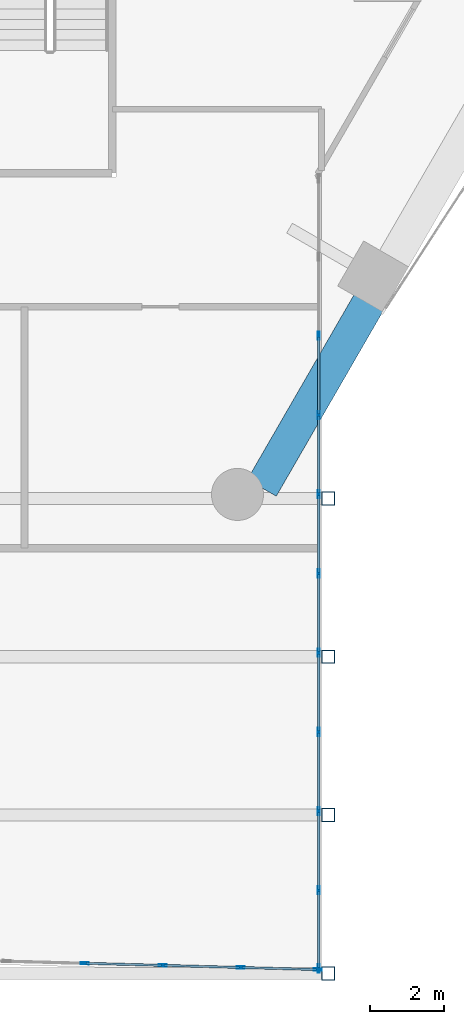
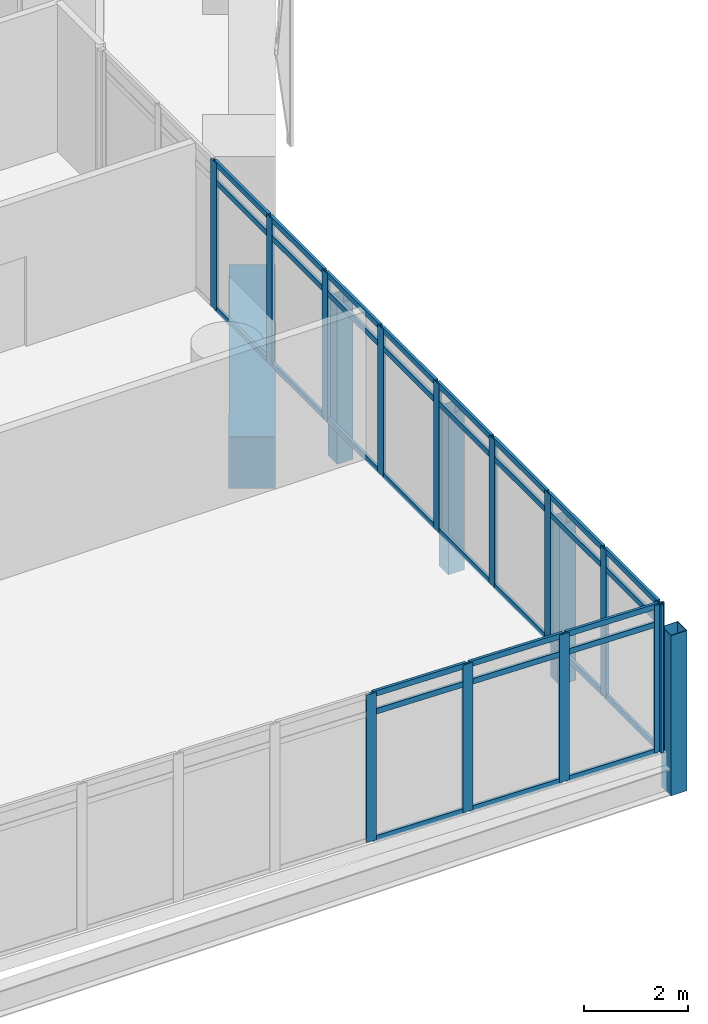
# One storey, part 10 of 35: 50 members, 1 beam, 2 elements without a shape of their own.
"""IFC4 building model written with IfcOpenShell, lengths in metres."""

from ifc_helpers import new_model, si_unit, direction, frame, origin, origin_2d, place, context, subcontext, project, spatial, rectangle, hollow_rectangle, extrude, material, material_profile, profile_set, type_object, element, aggregate, save


model = new_model("IFC4")

# Units and contexts
model_context = context("Model", 3, precision=1e-05, world=origin(), true_north=direction((0.0, 1.0)))
body_context = subcontext(model_context, "Body", "Model", "MODEL_VIEW")
ifc_project = project(units=[si_unit("LENGTHUNIT", "METRE"), si_unit("AREAUNIT", "SQUARE_METRE"), si_unit("VOLUMEUNIT", "CUBIC_METRE"), si_unit("PLANEANGLEUNIT", "RADIAN"), si_unit("MASSUNIT", "GRAM", prefix="KILO")], contexts=[model_context])

# Site, building, storey
site_placement = place(None, origin())
site = spatial("IfcSite", under=ifc_project, at=site_placement, CompositionType="ELEMENT")
building_placement = place(site_placement, origin())
building = spatial("IfcBuilding", under=site, at=building_placement, Name="Ostrander Bayou Hotel Tower", CompositionType="ELEMENT")
storey_placement = place(building_placement, frame((0.0, 0.0, 69.25)))
storey = spatial("IfcBuildingStorey", under=building, at=storey_placement, Name="L17", CompositionType="ELEMENT", Elevation=69.25)

# Curtain wall, members
ifc_material_1 = material(Name="Aluminium and clear glass", Category="aluminium")
curtain_wall_type = type_object("IfcCurtainWallType", Name="CW-BAR glazed wall", PredefinedType="NOTDEFINED", material=ifc_material_1)
curtain_wall_1_placement = place(storey_placement, origin())
curtain_wall_1 = element("IfcCurtainWall", 1, at=curtain_wall_1_placement, inside=storey, type_object=curtain_wall_type, Name="CW-BAR L17:SB1S:T", PredefinedType="NOTDEFINED")
ifc_material_2 = material(Name="Aluminium", Category="aluminium")
ifc_material_profile_1 = material_profile(ifc_material_2, hollow_rectangle(XDim=0.06005859375, YDim=0.219970703125, WallThickness=0.00390625, at=origin_2d()))
ifc_profile_set_1 = profile_set([ifc_material_profile_1], Name="Aluminium")
member_type_1 = type_object("IfcMemberType", Name="CW-BR mullion 60 x 220 mm", PredefinedType="MULLION", material=ifc_profile_set_1)
member_1_placement = place(storey_placement, frame((8.406982421875, -32.677490234375, 0.0), z_axis=(0.0, 0.0, 1.0), x_axis=(0.027042484848, 0.999634285133, 0.0)))
member_1 = element("IfcMember", 2, at=member_1_placement, type_object=member_type_1, Name="CW-BAR mullion 12", PredefinedType="MULLION", context=body_context, shape_type="SweptSolid", body=[
    extrude(hollow_rectangle(XDim=0.06005859375, YDim=0.219970703125, WallThickness=0.00390625, at=origin_2d()), origin(), (0.0, 0.0, 1.0), 3.449951171875),
])
member_2_placement = place(storey_placement, frame((10.5087890625, -32.734375, 0.0), z_axis=(0.0, 0.0, 1.0), x_axis=(0.027042484848, 0.999634285133, 0.0)))
member_2 = element("IfcMember", 3, at=member_2_placement, type_object=member_type_1, Name="CW-BAR mullion 13", PredefinedType="MULLION", context=body_context, shape_type="SweptSolid", body=[
    extrude(hollow_rectangle(XDim=0.06005859375, YDim=0.219970703125, WallThickness=0.00390625, at=origin_2d()), origin(), (0.0, 0.0, 1.0), 3.449951171875),
])
member_3_placement = place(storey_placement, frame((12.6103515625, -32.791259765625, 0.0), z_axis=(0.0, 0.0, 1.0), x_axis=(0.027042484848, 0.999634285133, 0.0)))
member_3 = element("IfcMember", 4, at=member_3_placement, type_object=member_type_1, Name="CW-BAR mullion 14", PredefinedType="MULLION", context=body_context, shape_type="SweptSolid", body=[
    extrude(hollow_rectangle(XDim=0.06005859375, YDim=0.219970703125, WallThickness=0.00390625, at=origin_2d()), origin(), (0.0, 0.0, 1.0), 3.449951171875),
])
member_4_placement = place(storey_placement, frame((14.68212890625, -32.84716796875, 0.0), z_axis=(0.0, 0.0, 1.0), x_axis=(0.027042484848, 0.999634285133, 0.0)))
member_4 = element("IfcMember", 5, at=member_4_placement, type_object=member_type_1, Name="CW-BAR mullion 15", PredefinedType="MULLION", context=body_context, shape_type="SweptSolid", body=[
    extrude(hollow_rectangle(XDim=0.06005859375, YDim=0.219970703125, WallThickness=0.00390625, at=origin_2d()), origin(), (0.0, 0.0, 1.0), 3.449951171875),
])

curtain_wall_2_placement = place(storey_placement, origin())
curtain_wall_2 = element("IfcCurtainWall", 6, at=curtain_wall_2_placement, inside=storey, type_object=curtain_wall_type, Name="CW-BAR L17:SB1S:W", PredefinedType="NOTDEFINED")
member_5_placement = place(storey_placement, frame((14.712158203125, -15.78369140625, 0.0), z_axis=(0.0, 0.0, 1.0), x_axis=(1.0, 0.0, 0.0)))
member_5 = element("IfcMember", 7, at=member_5_placement, type_object=member_type_1, Name="CW-BAR mullion 3", PredefinedType="MULLION", context=body_context, shape_type="SweptSolid", body=[
    extrude(hollow_rectangle(XDim=0.06005859375, YDim=0.219970703125, WallThickness=0.00390625, at=origin_2d()), origin(), (0.0, 0.0, 1.0), 3.449951171875),
])
member_6_placement = place(storey_placement, frame((14.712158203125, -17.916748046875, 0.0), z_axis=(0.0, 0.0, 1.0), x_axis=(1.0, 0.0, 0.0)))
member_6 = element("IfcMember", 8, at=member_6_placement, type_object=member_type_1, Name="CW-BAR mullion 4", PredefinedType="MULLION", context=body_context, shape_type="SweptSolid", body=[
    extrude(hollow_rectangle(XDim=0.06005859375, YDim=0.219970703125, WallThickness=0.00390625, at=origin_2d()), origin(), (0.0, 0.0, 1.0), 3.449951171875),
])
member_7_placement = place(storey_placement, frame((14.712158203125, -20.0498046875, 0.0), z_axis=(0.0, 0.0, 1.0), x_axis=(1.0, 0.0, 0.0)))
member_7 = element("IfcMember", 9, at=member_7_placement, type_object=member_type_1, Name="CW-BAR mullion 5", PredefinedType="MULLION", context=body_context, shape_type="SweptSolid", body=[
    extrude(hollow_rectangle(XDim=0.06005859375, YDim=0.219970703125, WallThickness=0.00390625, at=origin_2d()), origin(), (0.0, 0.0, 1.0), 3.449951171875),
])
member_8_placement = place(storey_placement, frame((14.712158203125, -22.182861328125, 0.0), z_axis=(0.0, 0.0, 1.0), x_axis=(1.0, 0.0, 0.0)))
member_8 = element("IfcMember", 10, at=member_8_placement, type_object=member_type_1, Name="CW-BAR mullion 6", PredefinedType="MULLION", context=body_context, shape_type="SweptSolid", body=[
    extrude(hollow_rectangle(XDim=0.06005859375, YDim=0.219970703125, WallThickness=0.00390625, at=origin_2d()), origin(), (0.0, 0.0, 1.0), 3.449951171875),
])
member_9_placement = place(storey_placement, frame((14.712158203125, -24.31591796875, 0.0), z_axis=(0.0, 0.0, 1.0), x_axis=(1.0, 0.0, 0.0)))
member_9 = element("IfcMember", 11, at=member_9_placement, type_object=member_type_1, Name="CW-BAR mullion 7", PredefinedType="MULLION", context=body_context, shape_type="SweptSolid", body=[
    extrude(hollow_rectangle(XDim=0.06005859375, YDim=0.219970703125, WallThickness=0.00390625, at=origin_2d()), origin(), (0.0, 0.0, 1.0), 3.449951171875),
])
member_10_placement = place(storey_placement, frame((14.712158203125, -26.448974609375, 0.0), z_axis=(0.0, 0.0, 1.0), x_axis=(1.0, 0.0, 0.0)))
member_10 = element("IfcMember", 12, at=member_10_placement, type_object=member_type_1, Name="CW-BAR mullion 8", PredefinedType="MULLION", context=body_context, shape_type="SweptSolid", body=[
    extrude(hollow_rectangle(XDim=0.06005859375, YDim=0.219970703125, WallThickness=0.00390625, at=origin_2d()), origin(), (0.0, 0.0, 1.0), 3.449951171875),
])
member_11_placement = place(storey_placement, frame((14.712158203125, -28.58203125, 0.0), z_axis=(0.0, 0.0, 1.0), x_axis=(1.0, 0.0, 0.0)))
member_11 = element("IfcMember", 13, at=member_11_placement, type_object=member_type_1, Name="CW-BAR mullion 9", PredefinedType="MULLION", context=body_context, shape_type="SweptSolid", body=[
    extrude(hollow_rectangle(XDim=0.06005859375, YDim=0.219970703125, WallThickness=0.00390625, at=origin_2d()), origin(), (0.0, 0.0, 1.0), 3.449951171875),
])
member_12_placement = place(storey_placement, frame((14.712158203125, -30.715087890625, 0.0), z_axis=(0.0, 0.0, 1.0), x_axis=(1.0, 0.0, 0.0)))
member_12 = element("IfcMember", 14, at=member_12_placement, type_object=member_type_1, Name="CW-BAR mullion 10", PredefinedType="MULLION", context=body_context, shape_type="SweptSolid", body=[
    extrude(hollow_rectangle(XDim=0.06005859375, YDim=0.219970703125, WallThickness=0.00390625, at=origin_2d()), origin(), (0.0, 0.0, 1.0), 3.449951171875),
])
member_13_placement = place(storey_placement, frame((14.712158203125, -32.818115234375, 0.0), z_axis=(0.0, 0.0, 1.0), x_axis=(1.0, 0.0, 0.0)))
member_13 = element("IfcMember", 15, at=member_13_placement, type_object=member_type_1, Name="CW-BAR mullion 11", PredefinedType="MULLION", context=body_context, shape_type="SweptSolid", body=[
    extrude(hollow_rectangle(XDim=0.06005859375, YDim=0.219970703125, WallThickness=0.00390625, at=origin_2d()), origin(), (0.0, 0.0, 1.0), 3.449951171875),
])

# Member
ifc_material_3 = material(Name="Aluminium", Category="aluminium")
ifc_material_profile_2 = material_profile(ifc_material_3, hollow_rectangle(XDim=0.06005859375, YDim=0.1298828125, WallThickness=0.00390625, at=origin_2d()))
ifc_profile_set_2 = profile_set([ifc_material_profile_2], Name="Aluminium")
member_type_2 = type_object("IfcMemberType", Name="CW-BR transom 60 x 130 mm", PredefinedType="USERDEFINED", material=ifc_profile_set_2)
member_14_placement = place(storey_placement, frame((8.43701171875, -32.67822265625, 0.030029296875), z_axis=(0.999635057116, -0.027013933147, 0.0), x_axis=(0.027013933147, 0.999635057116, 0.0)))
member_14 = element("IfcMember", 16, at=member_14_placement, type_object=member_type_2, Name="CW-BAR transom 12.1", ObjectType="TRANSOM", PredefinedType="USERDEFINED", context=body_context, shape_type="SweptSolid", body=[
    extrude(hollow_rectangle(XDim=0.06005859375, YDim=0.1298828125, WallThickness=0.00390625, at=origin_2d()), origin(), (0.0, 0.0, 1.0), 2.04248046875),
])

member_15_placement = place(storey_placement, frame((8.43701171875, -32.67822265625, 3.0), z_axis=(0.999635057116, -0.027013933147, 0.0), x_axis=(0.027013933147, 0.999635057116, 0.0)))
member_15 = element("IfcMember", 17, at=member_15_placement, type_object=member_type_2, Name="CW-BAR transom 12.2", ObjectType="TRANSOM", PredefinedType="USERDEFINED", context=body_context, shape_type="SweptSolid", body=[
    extrude(hollow_rectangle(XDim=0.06005859375, YDim=0.1298828125, WallThickness=0.00390625, at=origin_2d()), origin(), (0.0, 0.0, 1.0), 2.04248046875),
])

member_16_placement = place(storey_placement, frame((8.43701171875, -32.67822265625, 3.419921875), z_axis=(0.999635057116, -0.027013933147, 0.0), x_axis=(0.027013933147, 0.999635057116, 0.0)))
member_16 = element("IfcMember", 18, at=member_16_placement, type_object=member_type_2, Name="CW-BAR transom 12.3", ObjectType="TRANSOM", PredefinedType="USERDEFINED", context=body_context, shape_type="SweptSolid", body=[
    extrude(hollow_rectangle(XDim=0.06005859375, YDim=0.1298828125, WallThickness=0.00390625, at=origin_2d()), origin(), (0.0, 0.0, 1.0), 2.04248046875),
])

member_17_placement = place(storey_placement, frame((10.538818359375, -32.735107421875, 0.030029296875), z_axis=(0.999635057116, -0.027013933147, 0.0), x_axis=(0.027013933147, 0.999635057116, 0.0)))
member_17 = element("IfcMember", 19, at=member_17_placement, type_object=member_type_2, Name="CW-BAR transom 13.1", ObjectType="TRANSOM", PredefinedType="USERDEFINED", context=body_context, shape_type="SweptSolid", body=[
    extrude(hollow_rectangle(XDim=0.06005859375, YDim=0.1298828125, WallThickness=0.00390625, at=origin_2d()), origin(), (0.0, 0.0, 1.0), 2.04248046875),
])

member_18_placement = place(storey_placement, frame((10.538818359375, -32.735107421875, 3.0), z_axis=(0.999635057116, -0.027013933147, 0.0), x_axis=(0.027013933147, 0.999635057116, 0.0)))
member_18 = element("IfcMember", 20, at=member_18_placement, type_object=member_type_2, Name="CW-BAR transom 13.2", ObjectType="TRANSOM", PredefinedType="USERDEFINED", context=body_context, shape_type="SweptSolid", body=[
    extrude(hollow_rectangle(XDim=0.06005859375, YDim=0.1298828125, WallThickness=0.00390625, at=origin_2d()), origin(), (0.0, 0.0, 1.0), 2.04248046875),
])

member_19_placement = place(storey_placement, frame((10.538818359375, -32.735107421875, 3.419921875), z_axis=(0.999635057116, -0.027013933147, 0.0), x_axis=(0.027013933147, 0.999635057116, 0.0)))
member_19 = element("IfcMember", 21, at=member_19_placement, type_object=member_type_2, Name="CW-BAR transom 13.3", ObjectType="TRANSOM", PredefinedType="USERDEFINED", context=body_context, shape_type="SweptSolid", body=[
    extrude(hollow_rectangle(XDim=0.06005859375, YDim=0.1298828125, WallThickness=0.00390625, at=origin_2d()), origin(), (0.0, 0.0, 1.0), 2.04248046875),
])

member_20_placement = place(storey_placement, frame((12.640380859375, -32.7919921875, 0.030029296875), z_axis=(0.999634083934, -0.027049921213, 0.0), x_axis=(0.027049921213, 0.999634083934, 0.0)))
member_20 = element("IfcMember", 22, at=member_20_placement, type_object=member_type_2, Name="CW-BAR transom 14.1", ObjectType="TRANSOM", PredefinedType="USERDEFINED", context=body_context, shape_type="SweptSolid", body=[
    extrude(hollow_rectangle(XDim=0.06005859375, YDim=0.1298828125, WallThickness=0.00390625, at=origin_2d()), origin(), (0.0, 0.0, 1.0), 2.0126953125),
])

member_21_placement = place(storey_placement, frame((12.640380859375, -32.7919921875, 3.0), z_axis=(0.999634083934, -0.027049921213, 0.0), x_axis=(0.027049921213, 0.999634083934, 0.0)))
member_21 = element("IfcMember", 23, at=member_21_placement, type_object=member_type_2, Name="CW-BAR transom 14.2", ObjectType="TRANSOM", PredefinedType="USERDEFINED", context=body_context, shape_type="SweptSolid", body=[
    extrude(hollow_rectangle(XDim=0.06005859375, YDim=0.1298828125, WallThickness=0.00390625, at=origin_2d()), origin(), (0.0, 0.0, 1.0), 2.0126953125),
])

member_22_placement = place(storey_placement, frame((12.640380859375, -32.7919921875, 3.419921875), z_axis=(0.999634083934, -0.027049921213, 0.0), x_axis=(0.027049921213, 0.999634083934, 0.0)))
member_22 = element("IfcMember", 24, at=member_22_placement, type_object=member_type_2, Name="CW-BAR transom 14.3", ObjectType="TRANSOM", PredefinedType="USERDEFINED", context=body_context, shape_type="SweptSolid", body=[
    extrude(hollow_rectangle(XDim=0.06005859375, YDim=0.1298828125, WallThickness=0.00390625, at=origin_2d()), origin(), (0.0, 0.0, 1.0), 2.0126953125),
])

aggregate(curtain_wall_1, [member_1, member_2, member_3, member_4, member_14, member_15, member_16, member_17, member_18, member_19, member_20, member_21, member_22])

member_23_placement = place(storey_placement, frame((14.712158203125, -15.813720703125, 0.030029296875), z_axis=(0.0, -1.0, 0.0), x_axis=(1.0, 0.0, 0.0)))
member_23 = element("IfcMember", 25, at=member_23_placement, type_object=member_type_2, Name="CW-BAR transom 3.1", ObjectType="TRANSOM", PredefinedType="USERDEFINED", context=body_context, shape_type="SweptSolid", body=[
    extrude(hollow_rectangle(XDim=0.06005859375, YDim=0.1298828125, WallThickness=0.00390625, at=origin_2d()), origin(), (0.0, 0.0, 1.0), 2.072998046875),
])

member_24_placement = place(storey_placement, frame((14.712158203125, -15.813720703125, 3.0), z_axis=(0.0, -1.0, 0.0), x_axis=(1.0, 0.0, 0.0)))
member_24 = element("IfcMember", 26, at=member_24_placement, type_object=member_type_2, Name="CW-BAR transom 3.2", ObjectType="TRANSOM", PredefinedType="USERDEFINED", context=body_context, shape_type="SweptSolid", body=[
    extrude(hollow_rectangle(XDim=0.06005859375, YDim=0.1298828125, WallThickness=0.00390625, at=origin_2d()), origin(), (0.0, 0.0, 1.0), 2.072998046875),
])

member_25_placement = place(storey_placement, frame((14.712158203125, -15.813720703125, 3.419921875), z_axis=(0.0, -1.0, 0.0), x_axis=(1.0, 0.0, 0.0)))
member_25 = element("IfcMember", 27, at=member_25_placement, type_object=member_type_2, Name="CW-BAR transom 3.3", ObjectType="TRANSOM", PredefinedType="USERDEFINED", context=body_context, shape_type="SweptSolid", body=[
    extrude(hollow_rectangle(XDim=0.06005859375, YDim=0.1298828125, WallThickness=0.00390625, at=origin_2d()), origin(), (0.0, 0.0, 1.0), 2.072998046875),
])

member_26_placement = place(storey_placement, frame((14.712158203125, -17.94677734375, 0.030029296875), z_axis=(0.0, -1.0, 0.0), x_axis=(1.0, 0.0, 0.0)))
member_26 = element("IfcMember", 28, at=member_26_placement, type_object=member_type_2, Name="CW-BAR transom 4.1", ObjectType="TRANSOM", PredefinedType="USERDEFINED", context=body_context, shape_type="SweptSolid", body=[
    extrude(hollow_rectangle(XDim=0.06005859375, YDim=0.1298828125, WallThickness=0.00390625, at=origin_2d()), origin(), (0.0, 0.0, 1.0), 2.072998046875),
])

member_27_placement = place(storey_placement, frame((14.712158203125, -17.94677734375, 3.0), z_axis=(0.0, -1.0, 0.0), x_axis=(1.0, 0.0, 0.0)))
member_27 = element("IfcMember", 29, at=member_27_placement, type_object=member_type_2, Name="CW-BAR transom 4.2", ObjectType="TRANSOM", PredefinedType="USERDEFINED", context=body_context, shape_type="SweptSolid", body=[
    extrude(hollow_rectangle(XDim=0.06005859375, YDim=0.1298828125, WallThickness=0.00390625, at=origin_2d()), origin(), (0.0, 0.0, 1.0), 2.072998046875),
])

member_28_placement = place(storey_placement, frame((14.712158203125, -17.94677734375, 3.419921875), z_axis=(0.0, -1.0, 0.0), x_axis=(1.0, 0.0, 0.0)))
member_28 = element("IfcMember", 30, at=member_28_placement, type_object=member_type_2, Name="CW-BAR transom 4.3", ObjectType="TRANSOM", PredefinedType="USERDEFINED", context=body_context, shape_type="SweptSolid", body=[
    extrude(hollow_rectangle(XDim=0.06005859375, YDim=0.1298828125, WallThickness=0.00390625, at=origin_2d()), origin(), (0.0, 0.0, 1.0), 2.072998046875),
])

member_29_placement = place(storey_placement, frame((14.712158203125, -20.079833984375, 0.030029296875), z_axis=(0.0, -1.0, 0.0), x_axis=(1.0, 0.0, 0.0)))
member_29 = element("IfcMember", 31, at=member_29_placement, type_object=member_type_2, Name="CW-BAR transom 5.1", ObjectType="TRANSOM", PredefinedType="USERDEFINED", context=body_context, shape_type="SweptSolid", body=[
    extrude(hollow_rectangle(XDim=0.06005859375, YDim=0.1298828125, WallThickness=0.00390625, at=origin_2d()), origin(), (0.0, 0.0, 1.0), 2.072998046875),
])

member_30_placement = place(storey_placement, frame((14.712158203125, -20.079833984375, 3.0), z_axis=(0.0, -1.0, 0.0), x_axis=(1.0, 0.0, 0.0)))
member_30 = element("IfcMember", 32, at=member_30_placement, type_object=member_type_2, Name="CW-BAR transom 5.2", ObjectType="TRANSOM", PredefinedType="USERDEFINED", context=body_context, shape_type="SweptSolid", body=[
    extrude(hollow_rectangle(XDim=0.06005859375, YDim=0.1298828125, WallThickness=0.00390625, at=origin_2d()), origin(), (0.0, 0.0, 1.0), 2.072998046875),
])

member_31_placement = place(storey_placement, frame((14.712158203125, -20.079833984375, 3.419921875), z_axis=(0.0, -1.0, 0.0), x_axis=(1.0, 0.0, 0.0)))
member_31 = element("IfcMember", 33, at=member_31_placement, type_object=member_type_2, Name="CW-BAR transom 5.3", ObjectType="TRANSOM", PredefinedType="USERDEFINED", context=body_context, shape_type="SweptSolid", body=[
    extrude(hollow_rectangle(XDim=0.06005859375, YDim=0.1298828125, WallThickness=0.00390625, at=origin_2d()), origin(), (0.0, 0.0, 1.0), 2.072998046875),
])

member_32_placement = place(storey_placement, frame((14.712158203125, -22.212890625, 0.030029296875), z_axis=(0.0, -1.0, 0.0), x_axis=(1.0, 0.0, 0.0)))
member_32 = element("IfcMember", 34, at=member_32_placement, type_object=member_type_2, Name="CW-BAR transom 6.1", ObjectType="TRANSOM", PredefinedType="USERDEFINED", context=body_context, shape_type="SweptSolid", body=[
    extrude(hollow_rectangle(XDim=0.06005859375, YDim=0.1298828125, WallThickness=0.00390625, at=origin_2d()), origin(), (0.0, 0.0, 1.0), 2.072998046875),
])

member_33_placement = place(storey_placement, frame((14.712158203125, -22.212890625, 3.0), z_axis=(0.0, -1.0, 0.0), x_axis=(1.0, 0.0, 0.0)))
member_33 = element("IfcMember", 35, at=member_33_placement, type_object=member_type_2, Name="CW-BAR transom 6.2", ObjectType="TRANSOM", PredefinedType="USERDEFINED", context=body_context, shape_type="SweptSolid", body=[
    extrude(hollow_rectangle(XDim=0.06005859375, YDim=0.1298828125, WallThickness=0.00390625, at=origin_2d()), origin(), (0.0, 0.0, 1.0), 2.072998046875),
])

member_34_placement = place(storey_placement, frame((14.712158203125, -22.212890625, 3.419921875), z_axis=(0.0, -1.0, 0.0), x_axis=(1.0, 0.0, 0.0)))
member_34 = element("IfcMember", 36, at=member_34_placement, type_object=member_type_2, Name="CW-BAR transom 6.3", ObjectType="TRANSOM", PredefinedType="USERDEFINED", context=body_context, shape_type="SweptSolid", body=[
    extrude(hollow_rectangle(XDim=0.06005859375, YDim=0.1298828125, WallThickness=0.00390625, at=origin_2d()), origin(), (0.0, 0.0, 1.0), 2.072998046875),
])

member_35_placement = place(storey_placement, frame((14.712158203125, -24.345947265625, 0.030029296875), z_axis=(0.0, -1.0, 0.0), x_axis=(1.0, 0.0, 0.0)))
member_35 = element("IfcMember", 37, at=member_35_placement, type_object=member_type_2, Name="CW-BAR transom 7.1", ObjectType="TRANSOM", PredefinedType="USERDEFINED", context=body_context, shape_type="SweptSolid", body=[
    extrude(hollow_rectangle(XDim=0.06005859375, YDim=0.1298828125, WallThickness=0.00390625, at=origin_2d()), origin(), (0.0, 0.0, 1.0), 2.072998046875),
])

member_36_placement = place(storey_placement, frame((14.712158203125, -24.345947265625, 3.0), z_axis=(0.0, -1.0, 0.0), x_axis=(1.0, 0.0, 0.0)))
member_36 = element("IfcMember", 38, at=member_36_placement, type_object=member_type_2, Name="CW-BAR transom 7.2", ObjectType="TRANSOM", PredefinedType="USERDEFINED", context=body_context, shape_type="SweptSolid", body=[
    extrude(hollow_rectangle(XDim=0.06005859375, YDim=0.1298828125, WallThickness=0.00390625, at=origin_2d()), origin(), (0.0, 0.0, 1.0), 2.072998046875),
])

member_37_placement = place(storey_placement, frame((14.712158203125, -24.345947265625, 3.419921875), z_axis=(0.0, -1.0, 0.0), x_axis=(1.0, 0.0, 0.0)))
member_37 = element("IfcMember", 39, at=member_37_placement, type_object=member_type_2, Name="CW-BAR transom 7.3", ObjectType="TRANSOM", PredefinedType="USERDEFINED", context=body_context, shape_type="SweptSolid", body=[
    extrude(hollow_rectangle(XDim=0.06005859375, YDim=0.1298828125, WallThickness=0.00390625, at=origin_2d()), origin(), (0.0, 0.0, 1.0), 2.072998046875),
])

member_38_placement = place(storey_placement, frame((14.712158203125, -26.47900390625, 0.030029296875), z_axis=(0.0, -1.0, 0.0), x_axis=(1.0, 0.0, 0.0)))
member_38 = element("IfcMember", 40, at=member_38_placement, type_object=member_type_2, Name="CW-BAR transom 8.1", ObjectType="TRANSOM", PredefinedType="USERDEFINED", context=body_context, shape_type="SweptSolid", body=[
    extrude(hollow_rectangle(XDim=0.06005859375, YDim=0.1298828125, WallThickness=0.00390625, at=origin_2d()), origin(), (0.0, 0.0, 1.0), 2.072998046875),
])

member_39_placement = place(storey_placement, frame((14.712158203125, -26.47900390625, 3.0), z_axis=(0.0, -1.0, 0.0), x_axis=(1.0, 0.0, 0.0)))
member_39 = element("IfcMember", 41, at=member_39_placement, type_object=member_type_2, Name="CW-BAR transom 8.2", ObjectType="TRANSOM", PredefinedType="USERDEFINED", context=body_context, shape_type="SweptSolid", body=[
    extrude(hollow_rectangle(XDim=0.06005859375, YDim=0.1298828125, WallThickness=0.00390625, at=origin_2d()), origin(), (0.0, 0.0, 1.0), 2.072998046875),
])

member_40_placement = place(storey_placement, frame((14.712158203125, -26.47900390625, 3.419921875), z_axis=(0.0, -1.0, 0.0), x_axis=(1.0, 0.0, 0.0)))
member_40 = element("IfcMember", 42, at=member_40_placement, type_object=member_type_2, Name="CW-BAR transom 8.3", ObjectType="TRANSOM", PredefinedType="USERDEFINED", context=body_context, shape_type="SweptSolid", body=[
    extrude(hollow_rectangle(XDim=0.06005859375, YDim=0.1298828125, WallThickness=0.00390625, at=origin_2d()), origin(), (0.0, 0.0, 1.0), 2.072998046875),
])

member_41_placement = place(storey_placement, frame((14.712158203125, -28.612060546875, 0.030029296875), z_axis=(0.0, -1.0, 0.0), x_axis=(1.0, 0.0, 0.0)))
member_41 = element("IfcMember", 43, at=member_41_placement, type_object=member_type_2, Name="CW-BAR transom 9.1", ObjectType="TRANSOM", PredefinedType="USERDEFINED", context=body_context, shape_type="SweptSolid", body=[
    extrude(hollow_rectangle(XDim=0.06005859375, YDim=0.1298828125, WallThickness=0.00390625, at=origin_2d()), origin(), (0.0, 0.0, 1.0), 2.072998046875),
])

member_42_placement = place(storey_placement, frame((14.712158203125, -28.612060546875, 3.0), z_axis=(0.0, -1.0, 0.0), x_axis=(1.0, 0.0, 0.0)))
member_42 = element("IfcMember", 44, at=member_42_placement, type_object=member_type_2, Name="CW-BAR transom 9.2", ObjectType="TRANSOM", PredefinedType="USERDEFINED", context=body_context, shape_type="SweptSolid", body=[
    extrude(hollow_rectangle(XDim=0.06005859375, YDim=0.1298828125, WallThickness=0.00390625, at=origin_2d()), origin(), (0.0, 0.0, 1.0), 2.072998046875),
])

member_43_placement = place(storey_placement, frame((14.712158203125, -28.612060546875, 3.419921875), z_axis=(0.0, -1.0, 0.0), x_axis=(1.0, 0.0, 0.0)))
member_43 = element("IfcMember", 45, at=member_43_placement, type_object=member_type_2, Name="CW-BAR transom 9.3", ObjectType="TRANSOM", PredefinedType="USERDEFINED", context=body_context, shape_type="SweptSolid", body=[
    extrude(hollow_rectangle(XDim=0.06005859375, YDim=0.1298828125, WallThickness=0.00390625, at=origin_2d()), origin(), (0.0, 0.0, 1.0), 2.072998046875),
])

member_44_placement = place(storey_placement, frame((14.712158203125, -30.744873046875, 0.030029296875), z_axis=(0.0, -1.0, 0.0), x_axis=(1.0, 0.0, 0.0)))
member_44 = element("IfcMember", 46, at=member_44_placement, type_object=member_type_2, Name="CW-BAR transom 10.1", ObjectType="TRANSOM", PredefinedType="USERDEFINED", context=body_context, shape_type="SweptSolid", body=[
    extrude(hollow_rectangle(XDim=0.06005859375, YDim=0.1298828125, WallThickness=0.00390625, at=origin_2d()), origin(), (0.0, 0.0, 1.0), 2.043212890625),
])

member_45_placement = place(storey_placement, frame((14.712158203125, -30.744873046875, 3.0), z_axis=(0.0, -1.0, 0.0), x_axis=(1.0, 0.0, 0.0)))
member_45 = element("IfcMember", 47, at=member_45_placement, type_object=member_type_2, Name="CW-BAR transom 10.2", ObjectType="TRANSOM", PredefinedType="USERDEFINED", context=body_context, shape_type="SweptSolid", body=[
    extrude(hollow_rectangle(XDim=0.06005859375, YDim=0.1298828125, WallThickness=0.00390625, at=origin_2d()), origin(), (0.0, 0.0, 1.0), 2.043212890625),
])

member_46_placement = place(storey_placement, frame((14.712158203125, -30.744873046875, 3.419921875), z_axis=(0.0, -1.0, 0.0), x_axis=(1.0, 0.0, 0.0)))
member_46 = element("IfcMember", 48, at=member_46_placement, type_object=member_type_2, Name="CW-BAR transom 10.3", ObjectType="TRANSOM", PredefinedType="USERDEFINED", context=body_context, shape_type="SweptSolid", body=[
    extrude(hollow_rectangle(XDim=0.06005859375, YDim=0.1298828125, WallThickness=0.00390625, at=origin_2d()), origin(), (0.0, 0.0, 1.0), 2.043212890625),
])

aggregate(curtain_wall_2, [member_5, member_6, member_7, member_8, member_9, member_10, member_11, member_12, member_13, member_23, member_24, member_25, member_26, member_27, member_28, member_29, member_30, member_31, member_32, member_33, member_34, member_35, member_36, member_37, member_38, member_39, member_40, member_41, member_42, member_43, member_44, member_45, member_46])

# Beam
ifc_material_4 = material(Name="Concrete f'c 70 MPa", Category="concrete")
ifc_material_profile_3 = material_profile(ifc_material_4, rectangle(XDim=0.89990234375, YDim=1.199951171875, at=origin_2d()))
ifc_profile_set_3 = profile_set([ifc_material_profile_3], Name="Concrete f'c 70 MPa")
beam_type = type_object("IfcBeamType", Name="SP1 spandrel beam 900 x 1200 mm f'c 70 MPa", PredefinedType="SPANDREL", material=ifc_profile_set_3)
beam_placement = place(storey_placement, frame((13.177490234375, -19.875732421875, -0.60009765625), z_axis=(0.500014818852, 0.866016847947, 0.0), x_axis=(-0.866016847947, 0.500014818852, 0.0)))
element("IfcBeam", 49, at=beam_placement, inside=storey, type_object=beam_type, Name="SP1 L17 SE-1", PredefinedType="SPANDREL", context=body_context, shape_type="SweptSolid", body=[
    extrude(rectangle(XDim=0.89990234375, YDim=1.199951171875, at=origin_2d()), origin(), (0.0, 0.0, 1.0), 5.758544921875),
])

# Members
ifc_material_5 = material(Name="Steel ASTM A500 Gr C", Category="steel")
ifc_material_profile_4 = material_profile(ifc_material_5, hollow_rectangle(XDim=0.355712890625, YDim=0.355712890625, WallThickness=0.01171875, at=origin_2d()))
ifc_profile_set_4 = profile_set([ifc_material_profile_4], Name="Steel ASTM A500 Gr C")
member_type_3 = type_object("IfcMemberType", Name="TH2 bar hanger HSS14x14x1/2", PredefinedType="POST", material=ifc_profile_set_4)
for number, where, z_axis, x_axis, name in (
    (50, (14.965087890625, -20.162841796875, -0.921875), (0.0, 0.0, 1.0), (1.0, 0.0, 0.0), "TH2 SB1SB H1-2"),
    (51, (14.965087890625, -24.42529296875, -0.921875), (0.0, 0.0, 1.0), (1.0, 0.0, 0.0), "TH2 SB1SB H2-2"),
    (52, (14.965087890625, -28.6875, -0.921875), (0.0, 0.0, 1.0), (1.0, 0.0, 0.0), "TH2 SB1SB H3-2"),
    (53, (14.965087890625, -32.949951171875, -0.921875), (0.0, 0.0, 1.0), (1.0, 0.0, 0.0), "TH2 SB1SB H4-2"),
):
    element("IfcMember", number, at=place(storey_placement, frame(where, z_axis=z_axis, x_axis=x_axis)), inside=storey, type_object=member_type_3, Name=name, PredefinedType="POST", context=body_context, shape_type="SweptSolid", body=[
        extrude(hollow_rectangle(XDim=0.355712890625, YDim=0.355712890625, WallThickness=0.01171875, at=origin_2d()), origin(), (0.0, 0.0, 1.0), 3.75),
    ])

save(model, "model.ifc")
